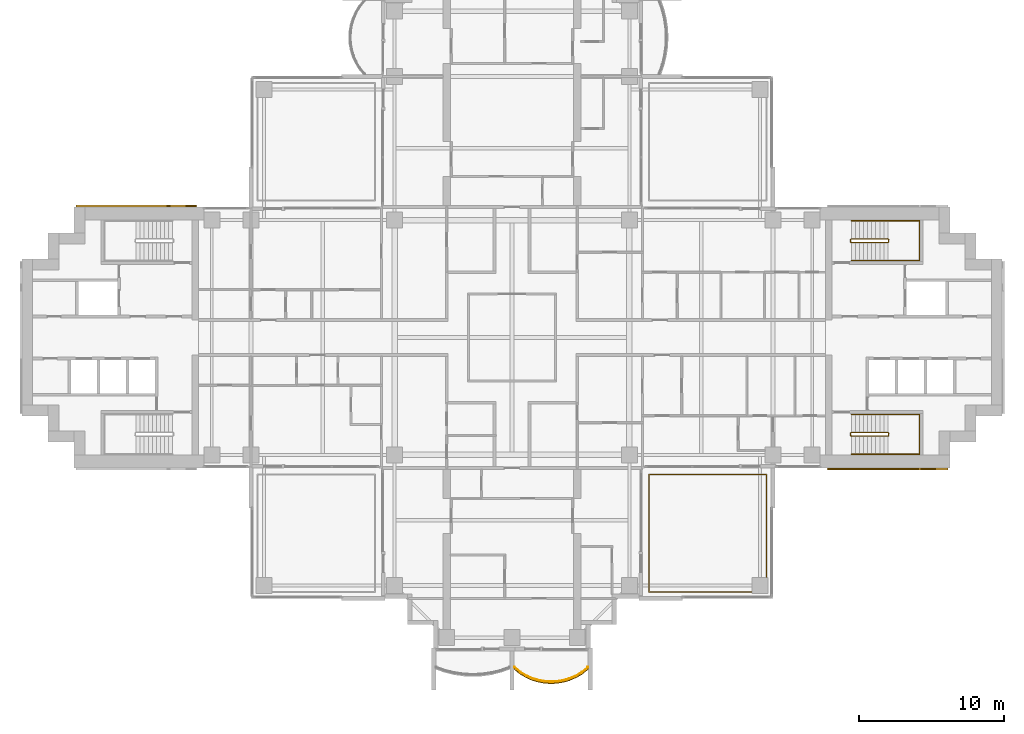
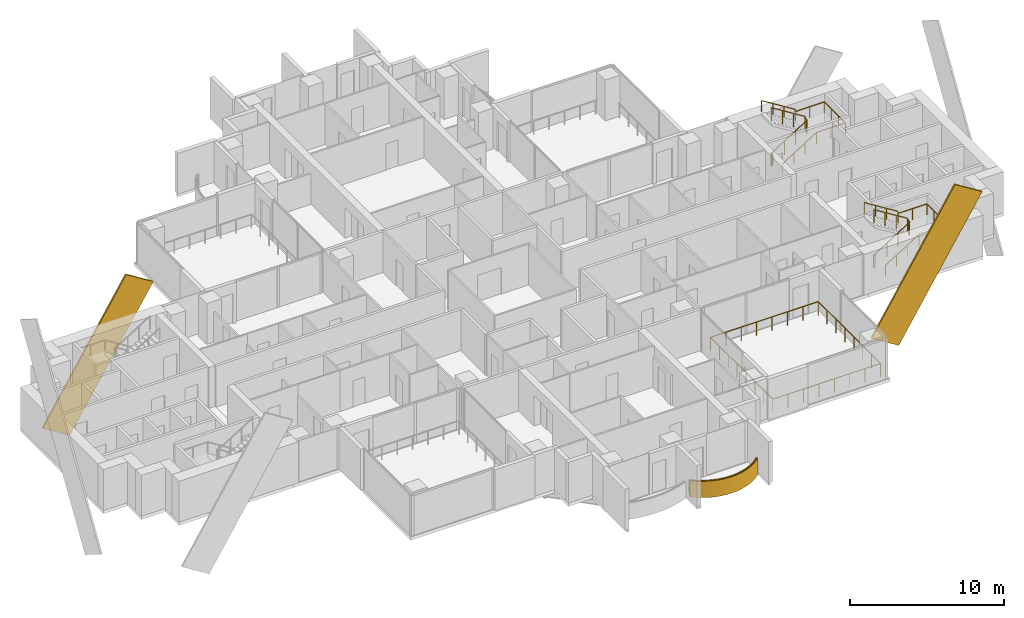
# One storey, part 17 of 19: 6 railings, 3 coverings.
"""IFC4 building model written with IfcOpenShell, lengths in metres."""

from ifc_helpers import new_model, si_unit, direction, frame, origin, origin_2d, place, context, subcontext, project, spatial, polyline, rectangle, outline, extrude, material, layer, layer_set, material_profile, profile_set, type_object, element, save


model = new_model("IFC4")

# Units and contexts
model_context = context("Model", 3, precision=1e-05, world=origin(), true_north=direction((0.0, 1.0)))
body_context = subcontext(model_context, "Body", "Model", "MODEL_VIEW")
ifc_project = project(units=[si_unit("LENGTHUNIT", "METRE"), si_unit("AREAUNIT", "SQUARE_METRE"), si_unit("VOLUMEUNIT", "CUBIC_METRE"), si_unit("PLANEANGLEUNIT", "RADIAN"), si_unit("MASSUNIT", "GRAM", prefix="KILO")], contexts=[model_context])

# Site, building, storey
site_placement = place(None, origin())
site = spatial("IfcSite", under=ifc_project, at=site_placement, CompositionType="ELEMENT")
building_placement = place(site_placement, origin())
building = spatial("IfcBuilding", under=site, at=building_placement, Name="Perihelion Cross Residences", CompositionType="ELEMENT")
storey_placement = place(building_placement, frame((0.0, 0.0, 116.39990234375)))
storey = spatial("IfcBuildingStorey", under=building, at=storey_placement, Name="L27", CompositionType="ELEMENT", Elevation=116.39990234375)

# Covering
ifc_material_1 = material(Name="Bronze anodised aluminium", Category="aluminium")
ifc_layer = layer(ifc_material_1, 0.070068359375)
ifc_layer_set = layer_set([ifc_layer], Name="Balcony fascia 1300")
covering_type_1 = type_object("IfcCoveringType", Name="Balcony fascia 1300", PredefinedType="CLADDING", material=ifc_layer_set)
covering_placement = place(storey_placement, frame((0.0, 0.0, -0.199951171875)))
element("IfcCovering", 1, at=covering_placement, inside=storey, type_object=covering_type_1, Name="Fascia BF1 L27 south tip south bay 2", PredefinedType="CLADDING", context=body_context, shape_type="SweptSolid", body=[
    extrude(outline(polyline([(0.53515625, -23.197509765625), (0.96826171875, -23.455078125), (1.401123046875, -23.642578125), (1.833984375, -23.7705078125), (2.26708984375, -23.845458984375), (2.699951171875, -23.8701171875), (3.133056640625, -23.845458984375), (3.56591796875, -23.7705078125), (3.998779296875, -23.642578125), (4.431884765625, -23.455078125), (4.86474609375, -23.197509765625), (5.25, -22.8896484375), (5.25, -22.800048828125), (4.824951171875, -23.14013671875), (4.39990234375, -23.392578125), (3.97509765625, -23.57666015625), (3.550048828125, -23.702392578125), (3.125, -23.77587890625), (2.699951171875, -23.800048828125), (2.27490234375, -23.77587890625), (1.85009765625, -23.702392578125), (1.425048828125, -23.57666015625), (1.0, -23.392578125), (0.574951171875, -23.14013671875), (0.14990234375, -22.800048828125), (0.14990234375, -22.8896484375), (0.53515625, -23.197509765625)])), origin(), (0.0, 0.0, 1.0), 1.300048828125),
])

# Railings
ifc_material_2 = material(Name="Bronze anodised aluminium", Category="aluminium")
railing_type_1 = type_object("IfcRailingType", Name="Balcony guard 1100", PredefinedType="GUARDRAIL", material=ifc_material_2)
railing_1_placement = place(storey_placement, frame((0.175048828125, -22.739990234375, 0.0)))
element("IfcRailing", 2, at=railing_1_placement, inside=storey, type_object=railing_type_1, Name="Guard GU1 L27 south tip south bay 2 balcony", PredefinedType="GUARDRAIL", context=body_context, shape_type="SweptSolid", body=[
    extrude(rectangle(XDim=0.048095703125, YDim=0.048095703125, at=origin_2d()), frame((0.0, 0.0, 1.076171875), z_axis=(0.761778647315, -0.647837396648, 0.0), x_axis=(0.647837396648, 0.761778647315, 0.0)), (0.0, 0.0, 1.0), 0.52490234375),
    extrude(rectangle(XDim=0.048095703125, YDim=0.048095703125, at=origin_2d()), frame((0.39990234375, -0.340087890625, 1.076171875), z_axis=(0.859576918062, -0.511006381501, 0.0), x_axis=(0.511006381501, 0.859576918062, 0.0)), (0.0, 0.0, 1.0), 0.494384765625),
    extrude(rectangle(XDim=0.048095703125, YDim=0.048095703125, at=origin_2d()), frame((0.824951171875, -0.5927734375, 1.076171875), z_axis=(0.917831080218, -0.396971167952, 0.0), x_axis=(0.396971167952, 0.917831080218, 0.0)), (0.0, 0.0, 1.0), 0.463134765625),
    extrude(rectangle(XDim=0.048095703125, YDim=0.048095703125, at=origin_2d()), frame((1.25, -0.776611328125, 1.076171875), z_axis=(0.958925815697, -0.283656975924, 0.0), x_axis=(0.283656975924, 0.958925815697, 0.0)), (0.0, 0.0, 1.0), 0.443359375),
    extrude(rectangle(XDim=0.048095703125, YDim=0.048095703125, at=origin_2d()), frame((1.675048828125, -0.90234375, 1.076171875), z_axis=(0.985365142702, -0.170456843651, 0.0), x_axis=(0.170456843651, 0.985365142702, 0.0)), (0.0, 0.0, 1.0), 0.43115234375),
    extrude(rectangle(XDim=0.048095703125, YDim=0.048095703125, at=origin_2d()), frame((2.099853515625, -0.975830078125, 1.076171875), z_axis=(0.998387160354, -0.056772159032, 0.0), x_axis=(0.056772159032, 0.998387160354, 0.0)), (0.0, 0.0, 1.0), 0.42578125),
    extrude(rectangle(XDim=0.048095703125, YDim=0.048095703125, at=origin_2d()), frame((2.52490234375, -1.0, 1.076171875), z_axis=(0.998387160354, 0.056772159032, 0.0), x_axis=(-0.056772159032, 0.998387160354, 0.0)), (0.0, 0.0, 1.0), 0.42578125),
    extrude(rectangle(XDim=0.048095703125, YDim=0.048095703125, at=origin_2d()), frame((2.949951171875, -0.975830078125, 1.076171875), z_axis=(0.985381583142, 0.17036177859, 0.0), x_axis=(-0.17036177859, 0.985381583142, 0.0)), (0.0, 0.0, 1.0), 0.431396484375),
    extrude(rectangle(XDim=0.048095703125, YDim=0.048095703125, at=origin_2d()), frame((3.375, -0.90234375, 1.076171875), z_axis=(0.958925815697, 0.283656975924, 0.0), x_axis=(-0.283656975924, 0.958925815697, 0.0)), (0.0, 0.0, 1.0), 0.443359375),
    extrude(rectangle(XDim=0.048095703125, YDim=0.048095703125, at=origin_2d()), frame((3.800048828125, -0.776611328125, 1.076171875), z_axis=(0.917747942671, 0.397163333811, 0.0), x_axis=(-0.397163333811, 0.917747942671, 0.0)), (0.0, 0.0, 1.0), 0.462890625),
    extrude(rectangle(XDim=0.048095703125, YDim=0.048095703125, at=origin_2d()), frame((4.224853515625, -0.5927734375, 1.076171875), z_axis=(0.859576918062, 0.511006381501, 0.0), x_axis=(-0.511006381501, 0.859576918062, 0.0)), (0.0, 0.0, 1.0), 0.494384765625),
    extrude(rectangle(XDim=0.048095703125, YDim=0.048095703125, at=origin_2d()), frame((4.64990234375, -0.340087890625, 1.076171875), z_axis=(0.761973728849, 0.647607934281, 0.0), x_axis=(-0.647607934281, 0.761973728849, 0.0)), (0.0, 0.0, 1.0), 0.525146484375),
    extrude(rectangle(XDim=0.0419921875, YDim=0.0419921875, at=origin_2d()), origin(), (0.0, 0.0, 1.0), 1.052001953125),
    extrude(rectangle(XDim=0.0419921875, YDim=0.0419921875, at=origin_2d()), frame((0.39990234375, -0.340087890625, 0.0)), (0.0, 0.0, 1.0), 1.052001953125),
    extrude(rectangle(XDim=0.0419921875, YDim=0.0419921875, at=origin_2d()), frame((0.824951171875, -0.5927734375, 0.0)), (0.0, 0.0, 1.0), 1.052001953125),
    extrude(rectangle(XDim=0.0419921875, YDim=0.0419921875, at=origin_2d()), frame((1.25, -0.776611328125, 0.0)), (0.0, 0.0, 1.0), 1.052001953125),
    extrude(rectangle(XDim=0.0419921875, YDim=0.0419921875, at=origin_2d()), frame((1.675048828125, -0.90234375, 0.0)), (0.0, 0.0, 1.0), 1.052001953125),
    extrude(rectangle(XDim=0.0419921875, YDim=0.0419921875, at=origin_2d()), frame((2.099853515625, -0.975830078125, 0.0)), (0.0, 0.0, 1.0), 1.052001953125),
    extrude(rectangle(XDim=0.0419921875, YDim=0.0419921875, at=origin_2d()), frame((2.52490234375, -1.0, 0.0)), (0.0, 0.0, 1.0), 1.052001953125),
    extrude(rectangle(XDim=0.0419921875, YDim=0.0419921875, at=origin_2d()), frame((2.949951171875, -0.975830078125, 0.0)), (0.0, 0.0, 1.0), 1.052001953125),
    extrude(rectangle(XDim=0.0419921875, YDim=0.0419921875, at=origin_2d()), frame((3.375, -0.90234375, 0.0)), (0.0, 0.0, 1.0), 1.052001953125),
    extrude(rectangle(XDim=0.0419921875, YDim=0.0419921875, at=origin_2d()), frame((3.800048828125, -0.776611328125, 0.0)), (0.0, 0.0, 1.0), 1.052001953125),
    extrude(rectangle(XDim=0.0419921875, YDim=0.0419921875, at=origin_2d()), frame((4.224853515625, -0.5927734375, 0.0)), (0.0, 0.0, 1.0), 1.052001953125),
    extrude(rectangle(XDim=0.0419921875, YDim=0.0419921875, at=origin_2d()), frame((4.64990234375, -0.340087890625, 0.0)), (0.0, 0.0, 1.0), 1.052001953125),
    extrude(rectangle(XDim=0.0419921875, YDim=0.0419921875, at=origin_2d()), frame((5.050048828125, 0.0, 0.0)), (0.0, 0.0, 1.0), 1.052001953125),
])
railing_2_placement = place(storey_placement, frame((17.550048828125, -17.550048828125, 0.0)))
element("IfcRailing", 3, at=railing_2_placement, inside=storey, type_object=railing_type_1, Name="Guard GU1 L27 pocket south-east 1", PredefinedType="GUARDRAIL", context=body_context, shape_type="SweptSolid", body=[
    extrude(rectangle(XDim=0.048095703125, YDim=0.048095703125, at=origin_2d()), frame((0.0, 0.0, 1.076171875), z_axis=(-1.0, 0.0, 0.0), x_axis=(0.0, -1.0, 0.0)), (0.0, 0.0, 1.0), 8.10009765625),
    extrude(rectangle(XDim=0.048095703125, YDim=0.048095703125, at=origin_2d()), frame((-8.10009765625, 0.0, 1.076171875), z_axis=(0.0, 1.0, 0.0), x_axis=(-1.0, 0.0, 0.0)), (0.0, 0.0, 1.0), 8.10009765625),
    extrude(rectangle(XDim=0.048095703125, YDim=0.048095703125, at=origin_2d()), frame((-8.10009765625, 8.10009765625, 1.076171875), z_axis=(1.0, 0.0, 0.0), x_axis=(0.0, 1.0, 0.0)), (0.0, 0.0, 1.0), 8.10009765625),
    extrude(rectangle(XDim=0.048095703125, YDim=0.048095703125, at=origin_2d()), frame((0.0, 8.10009765625, 1.076171875), z_axis=(0.0, -1.0, 0.0), x_axis=(1.0, 0.0, 0.0)), (0.0, 0.0, 1.0), 8.10009765625),
    extrude(rectangle(XDim=0.0419921875, YDim=0.0419921875, at=origin_2d()), origin(), (0.0, 0.0, 1.0), 1.052001953125),
    extrude(rectangle(XDim=0.0419921875, YDim=0.0419921875, at=origin_2d()), frame((-1.1572265625, 0.0, 0.0)), (0.0, 0.0, 1.0), 1.052001953125),
    extrude(rectangle(XDim=0.0419921875, YDim=0.0419921875, at=origin_2d()), frame((-2.314208984375, 0.0, 0.0)), (0.0, 0.0, 1.0), 1.052001953125),
    extrude(rectangle(XDim=0.0419921875, YDim=0.0419921875, at=origin_2d()), frame((-3.471435546875, 0.0, 0.0)), (0.0, 0.0, 1.0), 1.052001953125),
    extrude(rectangle(XDim=0.0419921875, YDim=0.0419921875, at=origin_2d()), frame((-4.628662109375, 0.0, 0.0)), (0.0, 0.0, 1.0), 1.052001953125),
    extrude(rectangle(XDim=0.0419921875, YDim=0.0419921875, at=origin_2d()), frame((-5.785888671875, 0.0, 0.0)), (0.0, 0.0, 1.0), 1.052001953125),
    extrude(rectangle(XDim=0.0419921875, YDim=0.0419921875, at=origin_2d()), frame((-6.94287109375, 0.0, 0.0)), (0.0, 0.0, 1.0), 1.052001953125),
    extrude(rectangle(XDim=0.0419921875, YDim=0.0419921875, at=origin_2d()), frame((-8.10009765625, 0.0, 0.0)), (0.0, 0.0, 1.0), 1.052001953125),
    extrude(rectangle(XDim=0.0419921875, YDim=0.0419921875, at=origin_2d()), frame((-8.10009765625, 1.1572265625, 0.0)), (0.0, 0.0, 1.0), 1.052001953125),
    extrude(rectangle(XDim=0.0419921875, YDim=0.0419921875, at=origin_2d()), frame((-8.10009765625, 2.314208984375, 0.0)), (0.0, 0.0, 1.0), 1.052001953125),
    extrude(rectangle(XDim=0.0419921875, YDim=0.0419921875, at=origin_2d()), frame((-8.10009765625, 3.471435546875, 0.0)), (0.0, 0.0, 1.0), 1.052001953125),
    extrude(rectangle(XDim=0.0419921875, YDim=0.0419921875, at=origin_2d()), frame((-8.10009765625, 4.628662109375, 0.0)), (0.0, 0.0, 1.0), 1.052001953125),
    extrude(rectangle(XDim=0.0419921875, YDim=0.0419921875, at=origin_2d()), frame((-8.10009765625, 5.785888671875, 0.0)), (0.0, 0.0, 1.0), 1.052001953125),
    extrude(rectangle(XDim=0.0419921875, YDim=0.0419921875, at=origin_2d()), frame((-8.10009765625, 6.94287109375, 0.0)), (0.0, 0.0, 1.0), 1.052001953125),
    extrude(rectangle(XDim=0.0419921875, YDim=0.0419921875, at=origin_2d()), frame((-8.10009765625, 8.10009765625, 0.0)), (0.0, 0.0, 1.0), 1.052001953125),
    extrude(rectangle(XDim=0.0419921875, YDim=0.0419921875, at=origin_2d()), frame((-6.94287109375, 8.10009765625, 0.0)), (0.0, 0.0, 1.0), 1.052001953125),
    extrude(rectangle(XDim=0.0419921875, YDim=0.0419921875, at=origin_2d()), frame((-5.785888671875, 8.10009765625, 0.0)), (0.0, 0.0, 1.0), 1.052001953125),
    extrude(rectangle(XDim=0.0419921875, YDim=0.0419921875, at=origin_2d()), frame((-4.628662109375, 8.10009765625, 0.0)), (0.0, 0.0, 1.0), 1.052001953125),
    extrude(rectangle(XDim=0.0419921875, YDim=0.0419921875, at=origin_2d()), frame((-3.471435546875, 8.10009765625, 0.0)), (0.0, 0.0, 1.0), 1.052001953125),
    extrude(rectangle(XDim=0.0419921875, YDim=0.0419921875, at=origin_2d()), frame((-2.314208984375, 8.10009765625, 0.0)), (0.0, 0.0, 1.0), 1.052001953125),
    extrude(rectangle(XDim=0.0419921875, YDim=0.0419921875, at=origin_2d()), frame((-1.1572265625, 8.10009765625, 0.0)), (0.0, 0.0, 1.0), 1.052001953125),
    extrude(rectangle(XDim=0.0419921875, YDim=0.0419921875, at=origin_2d()), frame((0.0, 8.10009765625, 0.0)), (0.0, 0.0, 1.0), 1.052001953125),
    extrude(rectangle(XDim=0.0419921875, YDim=0.0419921875, at=origin_2d()), frame((0.0, 6.94287109375, 0.0)), (0.0, 0.0, 1.0), 1.052001953125),
    extrude(rectangle(XDim=0.0419921875, YDim=0.0419921875, at=origin_2d()), frame((0.0, 5.785888671875, 0.0)), (0.0, 0.0, 1.0), 1.052001953125),
    extrude(rectangle(XDim=0.0419921875, YDim=0.0419921875, at=origin_2d()), frame((0.0, 4.628662109375, 0.0)), (0.0, 0.0, 1.0), 1.052001953125),
    extrude(rectangle(XDim=0.0419921875, YDim=0.0419921875, at=origin_2d()), frame((0.0, 3.471435546875, 0.0)), (0.0, 0.0, 1.0), 1.052001953125),
    extrude(rectangle(XDim=0.0419921875, YDim=0.0419921875, at=origin_2d()), frame((0.0, 2.314208984375, 0.0)), (0.0, 0.0, 1.0), 1.052001953125),
    extrude(rectangle(XDim=0.0419921875, YDim=0.0419921875, at=origin_2d()), frame((0.0, 1.1572265625, 0.0)), (0.0, 0.0, 1.0), 1.052001953125),
])

# Coverings
ifc_material_3 = material(Name="Bronze anodised aluminium", Category="aluminium")
ifc_material_profile = material_profile(ifc_material_3, rectangle(XDim=0.125, YDim=2.39990234375, at=origin_2d()), Name="Bronze cladding band 2400")
ifc_profile_set = profile_set([ifc_material_profile], Name="Bronze anodised aluminium")
covering_type_2 = type_object("IfcCoveringType", Name="Bronze cladding band 2400", PredefinedType="CLADDING", material=ifc_profile_set)
for number, where, z_axis, x_axis, name in (
    (4, (22.767578125, -9.0625, -4.156005859375), (0.529915403603, 0.0, 0.848050508534), (0.0, 1.0, 0.0), "Core cladding band, east core"),
    (5, (-29.0322265625, 9.0625, -4.156005859375), (0.529915403603, 0.0, 0.848050508534), (0.0, 1.0, 0.0), "Core cladding band, west core"),
):
    element("IfcCovering", number, at=place(storey_placement, frame(where, z_axis=z_axis, x_axis=x_axis)), inside=storey, type_object=covering_type_2, Name=name, PredefinedType="CLADDING", context=body_context, shape_type="SweptSolid", body=[
        extrude(rectangle(XDim=0.125, YDim=2.39990234375, at=origin_2d()), origin(), (0.0, 0.0, 1.0), 11.822021484375),
    ])

# Railings
ifc_material_4 = material(Name="Stainless steel", Category="steel")
railing_type_2 = type_object("IfcRailingType", Name="Stair guard 1100", PredefinedType="GUARDRAIL", material=ifc_material_4)
railing_3_placement = place(storey_placement, frame((23.35009765625, 6.75, 0.0)))
element("IfcRailing", 6, at=railing_3_placement, inside=storey, type_object=railing_type_2, Name="L27 ST-E1 stair guard 1", PredefinedType="GUARDRAIL", context=body_context, shape_type="SweptSolid", body=[
    extrude(rectangle(XDim=0.048095703125, YDim=0.048095703125, at=origin_2d()), frame((0.0, 0.0, 1.076171875), z_axis=(0.0, -1.0, 0.0), x_axis=(1.0, 0.0, 0.0)), (0.0, 0.0, 1.0), 0.14990234375),
    extrude(rectangle(XDim=0.048095703125, YDim=0.048095703125, at=origin_2d()), frame((0.0, -0.14990234375, 1.076171875), z_axis=(0.263862480399, -0.265155923931, 0.927399011991), x_axis=(0.708833529934, 0.705375805398, 0.0)), (0.0, 0.0, 1.0), 0.188720703125),
    extrude(rectangle(XDim=0.048095703125, YDim=0.048095703125, at=origin_2d()), frame((0.0498046875, -0.199951171875, 1.2509765625), z_axis=(0.848007534815, 0.0, 0.529984170421), x_axis=(0.0, 1.0, 0.0)), (0.0, 0.0, 1.0), 2.9716796875),
    extrude(rectangle(XDim=0.048095703125, YDim=0.048095703125, at=origin_2d()), frame((2.56982421875, -0.199951171875, 2.826171875), z_axis=(0.707106781187, 0.707106781187, 0.0), x_axis=(-0.707106781187, 0.707106781187, 0.0)), (0.0, 0.0, 1.0), 0.07080078125),
    extrude(rectangle(XDim=0.048095703125, YDim=0.048095703125, at=origin_2d()), frame((2.619873046875, -0.14990234375, 2.826171875), z_axis=(0.0, 1.0, 0.0), x_axis=(-1.0, 0.0, 0.0)), (0.0, 0.0, 1.0), 0.14990234375),
    extrude(rectangle(XDim=0.048095703125, YDim=0.048095703125, at=origin_2d()), frame((2.619873046875, 0.0, 2.826171875), z_axis=(-0.265065253269, 0.265065253269, 0.927081885822), x_axis=(-0.707106781187, -0.707106781187, 0.0)), (0.0, 0.0, 1.0), 0.188720703125),
    extrude(rectangle(XDim=0.048095703125, YDim=0.048095703125, at=origin_2d()), frame((2.56982421875, 0.050048828125, 3.0009765625), z_axis=(-0.848007534815, 0.0, 0.529984170421), x_axis=(0.0, -1.0, 0.0)), (0.0, 0.0, 1.0), 2.9716796875),
    extrude(rectangle(XDim=0.0419921875, YDim=0.0419921875, at=origin_2d()), origin(), (0.0, 0.0, 1.0), 1.052001953125),
    extrude(rectangle(XDim=0.0419921875, YDim=0.0419921875, at=origin_2d()), frame((0.0, -0.14990234375, 0.0)), (0.0, 0.0, 1.0), 1.052001953125),
    extrude(rectangle(XDim=0.0419921875, YDim=0.0419921875, at=origin_2d()), frame((0.0498046875, -0.199951171875, 0.175048828125)), (0.0, 0.0, 1.0), 1.052001953125),
    extrude(rectangle(XDim=0.0419921875, YDim=0.0419921875, at=origin_2d()), frame((0.889892578125, -0.199951171875, 0.699951171875)), (0.0, 0.0, 1.0), 1.052001953125),
    extrude(rectangle(XDim=0.0419921875, YDim=0.0419921875, at=origin_2d()), frame((1.729736328125, -0.199951171875, 1.22509765625)), (0.0, 0.0, 1.0), 1.052001953125),
    extrude(rectangle(XDim=0.0419921875, YDim=0.0419921875, at=origin_2d()), frame((2.56982421875, -0.199951171875, 1.75)), (0.0, 0.0, 1.0), 1.052001953125),
    extrude(rectangle(XDim=0.0419921875, YDim=0.0419921875, at=origin_2d()), frame((2.619873046875, -0.14990234375, 1.75)), (0.0, 0.0, 1.0), 1.052001953125),
    extrude(rectangle(XDim=0.0419921875, YDim=0.0419921875, at=origin_2d()), frame((2.619873046875, 0.0, 1.75)), (0.0, 0.0, 1.0), 1.052001953125),
    extrude(rectangle(XDim=0.0419921875, YDim=0.0419921875, at=origin_2d()), frame((2.56982421875, 0.050048828125, 1.925048828125)), (0.0, 0.0, 1.0), 1.052001953125),
    extrude(rectangle(XDim=0.0419921875, YDim=0.0419921875, at=origin_2d()), frame((1.729736328125, 0.050048828125, 2.449951171875)), (0.0, 0.0, 1.0), 1.052001953125),
    extrude(rectangle(XDim=0.0419921875, YDim=0.0419921875, at=origin_2d()), frame((0.889892578125, 0.050048828125, 2.97509765625)), (0.0, 0.0, 1.0), 1.052001953125),
    extrude(rectangle(XDim=0.0419921875, YDim=0.0419921875, at=origin_2d()), frame((0.0498046875, 0.050048828125, 3.5)), (0.0, 0.0, 1.0), 1.052001953125),
])
railing_4_placement = place(storey_placement, frame((23.35009765625, -6.60009765625, 0.0)))
element("IfcRailing", 7, at=railing_4_placement, inside=storey, type_object=railing_type_2, Name="L27 ST-E2 stair guard 1", PredefinedType="GUARDRAIL", context=body_context, shape_type="SweptSolid", body=[
    extrude(rectangle(XDim=0.048095703125, YDim=0.048095703125, at=origin_2d()), frame((0.0, 0.0, 1.076171875), z_axis=(0.0, -1.0, 0.0), x_axis=(1.0, 0.0, 0.0)), (0.0, 0.0, 1.0), 0.14990234375),
    extrude(rectangle(XDim=0.048095703125, YDim=0.048095703125, at=origin_2d()), frame((0.0, -0.14990234375, 1.076171875), z_axis=(0.263862480399, -0.265155923931, 0.927399011991), x_axis=(0.708833529934, 0.705375805398, 0.0)), (0.0, 0.0, 1.0), 0.188720703125),
    extrude(rectangle(XDim=0.048095703125, YDim=0.048095703125, at=origin_2d()), frame((0.0498046875, -0.199951171875, 1.2509765625), z_axis=(0.848007534815, 0.0, 0.529984170421), x_axis=(0.0, 1.0, 0.0)), (0.0, 0.0, 1.0), 2.9716796875),
    extrude(rectangle(XDim=0.048095703125, YDim=0.048095703125, at=origin_2d()), frame((2.56982421875, -0.199951171875, 2.826171875), z_axis=(0.707106781187, 0.707106781187, 0.0), x_axis=(-0.707106781187, 0.707106781187, 0.0)), (0.0, 0.0, 1.0), 0.07080078125),
    extrude(rectangle(XDim=0.048095703125, YDim=0.048095703125, at=origin_2d()), frame((2.619873046875, -0.14990234375, 2.826171875), z_axis=(0.0, 1.0, 0.0), x_axis=(-1.0, 0.0, 0.0)), (0.0, 0.0, 1.0), 0.14990234375),
    extrude(rectangle(XDim=0.048095703125, YDim=0.048095703125, at=origin_2d()), frame((2.619873046875, 0.0, 2.826171875), z_axis=(-0.265065253269, 0.265065253269, 0.927081885822), x_axis=(-0.707106781187, -0.707106781187, 0.0)), (0.0, 0.0, 1.0), 0.188720703125),
    extrude(rectangle(XDim=0.048095703125, YDim=0.048095703125, at=origin_2d()), frame((2.56982421875, 0.050048828125, 3.0009765625), z_axis=(-0.848007534815, 0.0, 0.529984170421), x_axis=(0.0, -1.0, 0.0)), (0.0, 0.0, 1.0), 2.9716796875),
    extrude(rectangle(XDim=0.0419921875, YDim=0.0419921875, at=origin_2d()), origin(), (0.0, 0.0, 1.0), 1.052001953125),
    extrude(rectangle(XDim=0.0419921875, YDim=0.0419921875, at=origin_2d()), frame((0.0, -0.14990234375, 0.0)), (0.0, 0.0, 1.0), 1.052001953125),
    extrude(rectangle(XDim=0.0419921875, YDim=0.0419921875, at=origin_2d()), frame((0.0498046875, -0.199951171875, 0.175048828125)), (0.0, 0.0, 1.0), 1.052001953125),
    extrude(rectangle(XDim=0.0419921875, YDim=0.0419921875, at=origin_2d()), frame((0.889892578125, -0.199951171875, 0.699951171875)), (0.0, 0.0, 1.0), 1.052001953125),
    extrude(rectangle(XDim=0.0419921875, YDim=0.0419921875, at=origin_2d()), frame((1.729736328125, -0.199951171875, 1.22509765625)), (0.0, 0.0, 1.0), 1.052001953125),
    extrude(rectangle(XDim=0.0419921875, YDim=0.0419921875, at=origin_2d()), frame((2.56982421875, -0.199951171875, 1.75)), (0.0, 0.0, 1.0), 1.052001953125),
    extrude(rectangle(XDim=0.0419921875, YDim=0.0419921875, at=origin_2d()), frame((2.619873046875, -0.14990234375, 1.75)), (0.0, 0.0, 1.0), 1.052001953125),
    extrude(rectangle(XDim=0.0419921875, YDim=0.0419921875, at=origin_2d()), frame((2.619873046875, 0.0, 1.75)), (0.0, 0.0, 1.0), 1.052001953125),
    extrude(rectangle(XDim=0.0419921875, YDim=0.0419921875, at=origin_2d()), frame((2.56982421875, 0.050048828125, 1.925048828125)), (0.0, 0.0, 1.0), 1.052001953125),
    extrude(rectangle(XDim=0.0419921875, YDim=0.0419921875, at=origin_2d()), frame((1.729736328125, 0.050048828125, 2.449951171875)), (0.0, 0.0, 1.0), 1.052001953125),
    extrude(rectangle(XDim=0.0419921875, YDim=0.0419921875, at=origin_2d()), frame((0.889892578125, 0.050048828125, 2.97509765625)), (0.0, 0.0, 1.0), 1.052001953125),
    extrude(rectangle(XDim=0.0419921875, YDim=0.0419921875, at=origin_2d()), frame((0.0498046875, 0.050048828125, 3.5)), (0.0, 0.0, 1.0), 1.052001953125),
])
ifc_material_5 = material(Name="Stainless steel", Category="steel")
railing_type_3 = type_object("IfcRailingType", Name="Stair handrail 900", PredefinedType="HANDRAIL", material=ifc_material_5)
railing_5_placement = place(storey_placement, frame((23.39990234375, 5.300048828125, 0.175048828125)))
element("IfcRailing", 8, at=railing_5_placement, inside=storey, type_object=railing_type_3, Name="L27 ST-E1 stair handrail 1", PredefinedType="HANDRAIL", context=body_context, shape_type="SweptSolid", body=[
    extrude(rectangle(XDim=0.048095703125, YDim=0.048095703125, at=origin_2d()), frame((0.0, 0.0, 0.8759765625), z_axis=(0.848007534815, 0.0, 0.529984170421), x_axis=(0.0, 1.0, 0.0)), (0.0, 0.0, 1.0), 2.9716796875),
    extrude(rectangle(XDim=0.048095703125, YDim=0.048095703125, at=origin_2d()), frame((2.52001953125, 0.0, 2.45068359375), z_axis=(1.0, 0.0, 0.0), x_axis=(0.0, 1.0, 0.0)), (0.0, 0.0, 1.0), 2.18017578125),
    extrude(rectangle(XDim=0.048095703125, YDim=0.048095703125, at=origin_2d()), frame((4.7001953125, 0.0, 2.45068359375), z_axis=(0.0, 1.0, 0.0), x_axis=(-1.0, 0.0, 0.0)), (0.0, 0.0, 1.0), 2.75),
    extrude(rectangle(XDim=0.048095703125, YDim=0.048095703125, at=origin_2d()), frame((4.7001953125, 2.75, 2.45068359375), z_axis=(-1.0, 0.0, 0.0), x_axis=(0.0, -1.0, 0.0)), (0.0, 0.0, 1.0), 2.18017578125),
    extrude(rectangle(XDim=0.048095703125, YDim=0.048095703125, at=origin_2d()), frame((2.52001953125, 2.75, 2.45068359375), z_axis=(0.0, 0.0, 1.0), x_axis=(1.0, 0.0, 0.0)), (0.0, 0.0, 1.0), 0.175048828125),
    extrude(rectangle(XDim=0.048095703125, YDim=0.048095703125, at=origin_2d()), frame((2.52001953125, 2.75, 2.6259765625), z_axis=(-0.848007534815, 0.0, 0.529984170421), x_axis=(0.0, -1.0, 0.0)), (0.0, 0.0, 1.0), 2.9716796875),
    extrude(rectangle(XDim=0.0419921875, YDim=0.0419921875, at=origin_2d()), origin(), (0.0, 0.0, 1.0), 0.851806640625),
    extrude(rectangle(XDim=0.0419921875, YDim=0.0419921875, at=origin_2d()), frame((0.840087890625, 0.0, 0.52490234375)), (0.0, 0.0, 1.0), 0.851806640625),
    extrude(rectangle(XDim=0.0419921875, YDim=0.0419921875, at=origin_2d()), frame((1.679931640625, 0.0, 1.050048828125)), (0.0, 0.0, 1.0), 0.851806640625),
    extrude(rectangle(XDim=0.0419921875, YDim=0.0419921875, at=origin_2d()), frame((2.52001953125, 0.0, 1.574951171875)), (0.0, 0.0, 1.0), 0.851806640625),
    extrude(rectangle(XDim=0.0419921875, YDim=0.0419921875, at=origin_2d()), frame((3.610107421875, 0.0, 1.574951171875)), (0.0, 0.0, 1.0), 0.851806640625),
    extrude(rectangle(XDim=0.0419921875, YDim=0.0419921875, at=origin_2d()), frame((4.7001953125, 0.0, 1.574951171875)), (0.0, 0.0, 1.0), 0.851806640625),
    extrude(rectangle(XDim=0.0419921875, YDim=0.0419921875, at=origin_2d()), frame((4.7001953125, 0.916748046875, 1.574951171875)), (0.0, 0.0, 1.0), 0.851806640625),
    extrude(rectangle(XDim=0.0419921875, YDim=0.0419921875, at=origin_2d()), frame((4.7001953125, 1.833251953125, 1.574951171875)), (0.0, 0.0, 1.0), 0.851806640625),
    extrude(rectangle(XDim=0.0419921875, YDim=0.0419921875, at=origin_2d()), frame((4.7001953125, 2.75, 1.574951171875)), (0.0, 0.0, 1.0), 0.851806640625),
    extrude(rectangle(XDim=0.0419921875, YDim=0.0419921875, at=origin_2d()), frame((3.610107421875, 2.75, 1.574951171875)), (0.0, 0.0, 1.0), 0.851806640625),
    extrude(rectangle(XDim=0.0419921875, YDim=0.0419921875, at=origin_2d()), frame((2.52001953125, 2.75, 1.574951171875)), (0.0, 0.0, 1.0), 0.851806640625),
    extrude(rectangle(XDim=0.0419921875, YDim=0.0419921875, at=origin_2d()), frame((2.52001953125, 2.75, 1.75)), (0.0, 0.0, 1.0), 0.851806640625),
    extrude(rectangle(XDim=0.0419921875, YDim=0.0419921875, at=origin_2d()), frame((1.679931640625, 2.75, 2.27490234375)), (0.0, 0.0, 1.0), 0.851806640625),
    extrude(rectangle(XDim=0.0419921875, YDim=0.0419921875, at=origin_2d()), frame((0.840087890625, 2.75, 2.800048828125)), (0.0, 0.0, 1.0), 0.851806640625),
    extrude(rectangle(XDim=0.0419921875, YDim=0.0419921875, at=origin_2d()), frame((0.0, 2.75, 3.324951171875)), (0.0, 0.0, 1.0), 0.851806640625),
])
railing_6_placement = place(storey_placement, frame((23.39990234375, -8.050048828125, 0.175048828125)))
element("IfcRailing", 9, at=railing_6_placement, inside=storey, type_object=railing_type_3, Name="L27 ST-E2 stair handrail 1", PredefinedType="HANDRAIL", context=body_context, shape_type="SweptSolid", body=[
    extrude(rectangle(XDim=0.048095703125, YDim=0.048095703125, at=origin_2d()), frame((0.0, 0.0, 0.8759765625), z_axis=(0.848007534815, 0.0, 0.529984170421), x_axis=(0.0, 1.0, 0.0)), (0.0, 0.0, 1.0), 2.9716796875),
    extrude(rectangle(XDim=0.048095703125, YDim=0.048095703125, at=origin_2d()), frame((2.52001953125, 0.0, 2.45068359375), z_axis=(1.0, 0.0, 0.0), x_axis=(0.0, 1.0, 0.0)), (0.0, 0.0, 1.0), 2.18017578125),
    extrude(rectangle(XDim=0.048095703125, YDim=0.048095703125, at=origin_2d()), frame((4.7001953125, 0.0, 2.45068359375), z_axis=(0.0, 1.0, 0.0), x_axis=(-1.0, 0.0, 0.0)), (0.0, 0.0, 1.0), 2.75),
    extrude(rectangle(XDim=0.048095703125, YDim=0.048095703125, at=origin_2d()), frame((4.7001953125, 2.75, 2.45068359375), z_axis=(-1.0, 0.0, 0.0), x_axis=(0.0, -1.0, 0.0)), (0.0, 0.0, 1.0), 2.18017578125),
    extrude(rectangle(XDim=0.048095703125, YDim=0.048095703125, at=origin_2d()), frame((2.52001953125, 2.75, 2.45068359375), z_axis=(0.0, 0.0, 1.0), x_axis=(1.0, 0.0, 0.0)), (0.0, 0.0, 1.0), 0.175048828125),
    extrude(rectangle(XDim=0.048095703125, YDim=0.048095703125, at=origin_2d()), frame((2.52001953125, 2.75, 2.6259765625), z_axis=(-0.848007534815, 0.0, 0.529984170421), x_axis=(0.0, -1.0, 0.0)), (0.0, 0.0, 1.0), 2.9716796875),
    extrude(rectangle(XDim=0.0419921875, YDim=0.0419921875, at=origin_2d()), origin(), (0.0, 0.0, 1.0), 0.851806640625),
    extrude(rectangle(XDim=0.0419921875, YDim=0.0419921875, at=origin_2d()), frame((0.840087890625, 0.0, 0.52490234375)), (0.0, 0.0, 1.0), 0.851806640625),
    extrude(rectangle(XDim=0.0419921875, YDim=0.0419921875, at=origin_2d()), frame((1.679931640625, 0.0, 1.050048828125)), (0.0, 0.0, 1.0), 0.851806640625),
    extrude(rectangle(XDim=0.0419921875, YDim=0.0419921875, at=origin_2d()), frame((2.52001953125, 0.0, 1.574951171875)), (0.0, 0.0, 1.0), 0.851806640625),
    extrude(rectangle(XDim=0.0419921875, YDim=0.0419921875, at=origin_2d()), frame((3.610107421875, 0.0, 1.574951171875)), (0.0, 0.0, 1.0), 0.851806640625),
    extrude(rectangle(XDim=0.0419921875, YDim=0.0419921875, at=origin_2d()), frame((4.7001953125, 0.0, 1.574951171875)), (0.0, 0.0, 1.0), 0.851806640625),
    extrude(rectangle(XDim=0.0419921875, YDim=0.0419921875, at=origin_2d()), frame((4.7001953125, 0.916748046875, 1.574951171875)), (0.0, 0.0, 1.0), 0.851806640625),
    extrude(rectangle(XDim=0.0419921875, YDim=0.0419921875, at=origin_2d()), frame((4.7001953125, 1.833251953125, 1.574951171875)), (0.0, 0.0, 1.0), 0.851806640625),
    extrude(rectangle(XDim=0.0419921875, YDim=0.0419921875, at=origin_2d()), frame((4.7001953125, 2.75, 1.574951171875)), (0.0, 0.0, 1.0), 0.851806640625),
    extrude(rectangle(XDim=0.0419921875, YDim=0.0419921875, at=origin_2d()), frame((3.610107421875, 2.75, 1.574951171875)), (0.0, 0.0, 1.0), 0.851806640625),
    extrude(rectangle(XDim=0.0419921875, YDim=0.0419921875, at=origin_2d()), frame((2.52001953125, 2.75, 1.574951171875)), (0.0, 0.0, 1.0), 0.851806640625),
    extrude(rectangle(XDim=0.0419921875, YDim=0.0419921875, at=origin_2d()), frame((2.52001953125, 2.75, 1.75)), (0.0, 0.0, 1.0), 0.851806640625),
    extrude(rectangle(XDim=0.0419921875, YDim=0.0419921875, at=origin_2d()), frame((1.679931640625, 2.75, 2.27490234375)), (0.0, 0.0, 1.0), 0.851806640625),
    extrude(rectangle(XDim=0.0419921875, YDim=0.0419921875, at=origin_2d()), frame((0.840087890625, 2.75, 2.800048828125)), (0.0, 0.0, 1.0), 0.851806640625),
    extrude(rectangle(XDim=0.0419921875, YDim=0.0419921875, at=origin_2d()), frame((0.0, 2.75, 3.324951171875)), (0.0, 0.0, 1.0), 0.851806640625),
])

save(model, "model.ifc")
